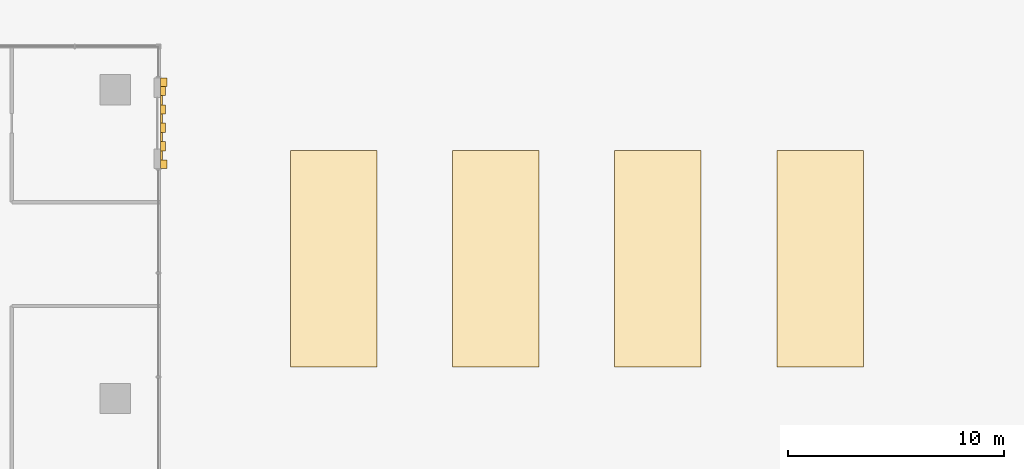
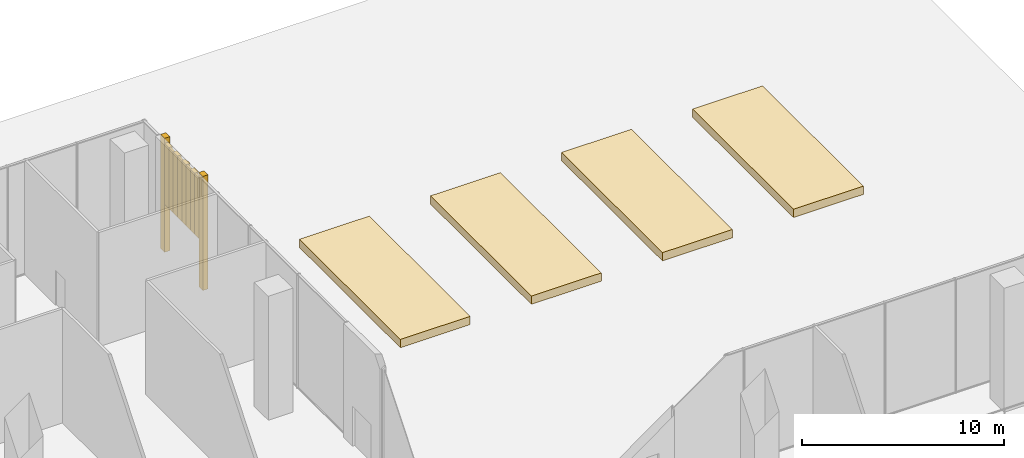
# One storey, part 25 of 26: 14 coverings.
"""IFC4 building model written with IfcOpenShell, lengths in metres."""

from ifc_helpers import new_model, si_unit, direction, frame, origin, origin_2d, place, context, subcontext, project, spatial, rectangle, extrude, source, transform, mapped, material, type_object, element, save


model = new_model("IFC4")

# Units and contexts
model_context = context("Model", 3, precision=1e-05, world=origin(), true_north=direction((0.0, 1.0)))
body_context = subcontext(model_context, "Body", "Model", "MODEL_VIEW")
ifc_project = project(units=[si_unit("LENGTHUNIT", "METRE"), si_unit("AREAUNIT", "SQUARE_METRE"), si_unit("VOLUMEUNIT", "CUBIC_METRE"), si_unit("PLANEANGLEUNIT", "RADIAN"), si_unit("MASSUNIT", "GRAM", prefix="KILO")], contexts=[model_context])

# Site, building, storey
site_placement = place(None, origin())
site = spatial("IfcSite", under=ifc_project, at=site_placement, CompositionType="ELEMENT")
building_placement = place(site_placement, origin())
building = spatial("IfcBuilding", under=site, at=building_placement, Name="Aurelian Terraces", CompositionType="ELEMENT")
storey_placement = place(building_placement, origin())
storey = spatial("IfcBuildingStorey", under=building, at=storey_placement, Name="L00", CompositionType="ELEMENT", Elevation=0.0)

# Coverings
ifc_material_1 = material(Name="Terracotta rainscreen cladding relief", Category="masonry")
covering_type_1 = type_object("IfcCoveringType", Name="FIN-TC", PredefinedType="CLADDING", material=ifc_material_1)
covering_1_placement = place(storey_placement, frame((54.33, 80.55, 0.0), z_axis=(0.0, 0.0, 1.0), x_axis=(1.0, 0.0, 0.0)))
element("IfcCovering", 1, at=covering_1_placement, inside=storey, type_object=covering_type_1, Name="FIN entrance L00 F04", PredefinedType="CLADDING", context=body_context, shape_type="SweptSolid", body=[
    extrude(rectangle(XDim=0.3, YDim=0.4, at=origin_2d()), origin(), (0.0, 0.0, 1.0), 6.9),
])
covering_2_placement = place(storey_placement, frame((54.23, 80.9625, 2.9), z_axis=(0.0, 0.0, 1.0), x_axis=(1.0, 0.0, 0.0)))
element("IfcCovering", 2, at=covering_2_placement, inside=storey, type_object=covering_type_1, Name="FIN chevron relief L00 F04", PredefinedType="CLADDING", context=body_context, shape_type="SweptSolid", body=[
    extrude(rectangle(XDim=0.1, YDim=0.425, at=origin_2d()), origin(), (0.0, 0.0, 1.0), 3.7),
])
covering_3_placement = place(storey_placement, frame((54.29, 81.3875, 2.9), z_axis=(0.0, 0.0, 1.0), x_axis=(1.0, 0.0, 0.0)))
element("IfcCovering", 3, at=covering_3_placement, inside=storey, type_object=covering_type_1, Name="FIN chevron relief L00 F04", PredefinedType="CLADDING", context=body_context, shape_type="SweptSolid", body=[
    extrude(rectangle(XDim=0.22, YDim=0.425, at=origin_2d()), origin(), (0.0, 0.0, 1.0), 3.7),
])
ifc_material_2 = material(Name="Terracotta planter with planting soil", Category="masonry")
covering_type_2 = type_object("IfcCoveringType", Name="PLANTER-TROUGH", PredefinedType="USERDEFINED", material=ifc_material_2)
covering_4_placement = place(storey_placement, frame((62.18, 76.18, 0.0), z_axis=(0.0, 0.0, 1.0), x_axis=(1.0, 0.0, 0.0)))
element("IfcCovering", 4, at=covering_4_placement, inside=storey, type_object=covering_type_2, Name="PLANTER garden bed 1", ObjectType="PLANTER", PredefinedType="USERDEFINED", context=body_context, shape_type="SweptSolid", body=[
    extrude(rectangle(XDim=4.0, YDim=10.0, at=origin_2d()), origin(), (0.0, 0.0, 1.0), 0.5),
])
shared_shape_1 = source(origin(), body_context, "Body", "SweptSolid", [
    extrude(rectangle(XDim=0.3, YDim=0.4, at=origin_2d()), origin(), (0.0, 0.0, 1.0), 6.9),
])
covering_5_placement = place(storey_placement, frame((54.33, 84.35, 0.0), z_axis=(0.0, 0.0, 1.0), x_axis=(1.0, 0.0, 0.0)))
element("IfcCovering", 5, at=covering_5_placement, inside=storey, type_object=covering_type_1, Name="FIN entrance L00 F04", PredefinedType="CLADDING", context=body_context, shape_type="MappedRepresentation", body=[
    mapped(shared_shape_1, transform((0.0, 0.0, 0.0), scale=1.0)),
])
shared_shape_2 = source(origin(), body_context, "Body", "SweptSolid", [
    extrude(rectangle(XDim=0.1, YDim=0.425, at=origin_2d()), origin(), (0.0, 0.0, 1.0), 3.7),
])
for number, where, z_axis, x_axis, name in (
    (6, (54.23, 81.8125, 2.9), (0.0, 0.0, 1.0), (1.0, 0.0, 0.0), "FIN chevron relief L00 F04"),
    (7, (54.23, 82.6625, 2.9), (0.0, 0.0, 1.0), (1.0, 0.0, 0.0), "FIN chevron relief L00 F04"),
    (8, (54.23, 83.5125, 2.9), (0.0, 0.0, 1.0), (1.0, 0.0, 0.0), "FIN chevron relief L00 F04"),
):
    element("IfcCovering", number, at=place(storey_placement, frame(where, z_axis=z_axis, x_axis=x_axis)), inside=storey, type_object=covering_type_1, Name=name, PredefinedType="CLADDING", context=body_context, shape_type="MappedRepresentation", body=[
        mapped(shared_shape_2, transform((0.0, 0.0, 0.0), scale=1.0)),
    ])
shared_shape_3 = source(origin(), body_context, "Body", "SweptSolid", [
    extrude(rectangle(XDim=0.22, YDim=0.425, at=origin_2d()), origin(), (0.0, 0.0, 1.0), 3.7),
])
for number, where, z_axis, x_axis, name in (
    (9, (54.29, 82.2375, 2.9), (0.0, 0.0, 1.0), (1.0, 0.0, 0.0), "FIN chevron relief L00 F04"),
    (10, (54.29, 83.0875, 2.9), (0.0, 0.0, 1.0), (1.0, 0.0, 0.0), "FIN chevron relief L00 F04"),
    (11, (54.29, 83.9375, 2.9), (0.0, 0.0, 1.0), (1.0, 0.0, 0.0), "FIN chevron relief L00 F04"),
):
    element("IfcCovering", number, at=place(storey_placement, frame(where, z_axis=z_axis, x_axis=x_axis)), inside=storey, type_object=covering_type_1, Name=name, PredefinedType="CLADDING", context=body_context, shape_type="MappedRepresentation", body=[
        mapped(shared_shape_3, transform((0.0, 0.0, 0.0), scale=1.0)),
    ])
shared_shape_4 = source(origin(), body_context, "Body", "SweptSolid", [
    extrude(rectangle(XDim=4.0, YDim=10.0, at=origin_2d()), origin(), (0.0, 0.0, 1.0), 0.5),
])
for number, where, z_axis, x_axis, name in (
    (12, (69.68, 76.18, 0.0), (0.0, 0.0, 1.0), (1.0, 0.0, 0.0), "PLANTER garden bed 2"),
    (13, (77.18, 76.18, 0.0), (0.0, 0.0, 1.0), (1.0, 0.0, 0.0), "PLANTER garden bed 3"),
    (14, (84.68, 76.18, 0.0), (0.0, 0.0, 1.0), (1.0, 0.0, 0.0), "PLANTER garden bed 4"),
):
    element("IfcCovering", number, at=place(storey_placement, frame(where, z_axis=z_axis, x_axis=x_axis)), inside=storey, type_object=covering_type_2, Name=name, ObjectType="PLANTER", PredefinedType="USERDEFINED", context=body_context, shape_type="MappedRepresentation", body=[
        mapped(shared_shape_4, transform((0.0, 0.0, 0.0), scale=1.0)),
    ])

save(model, "model.ifc")
